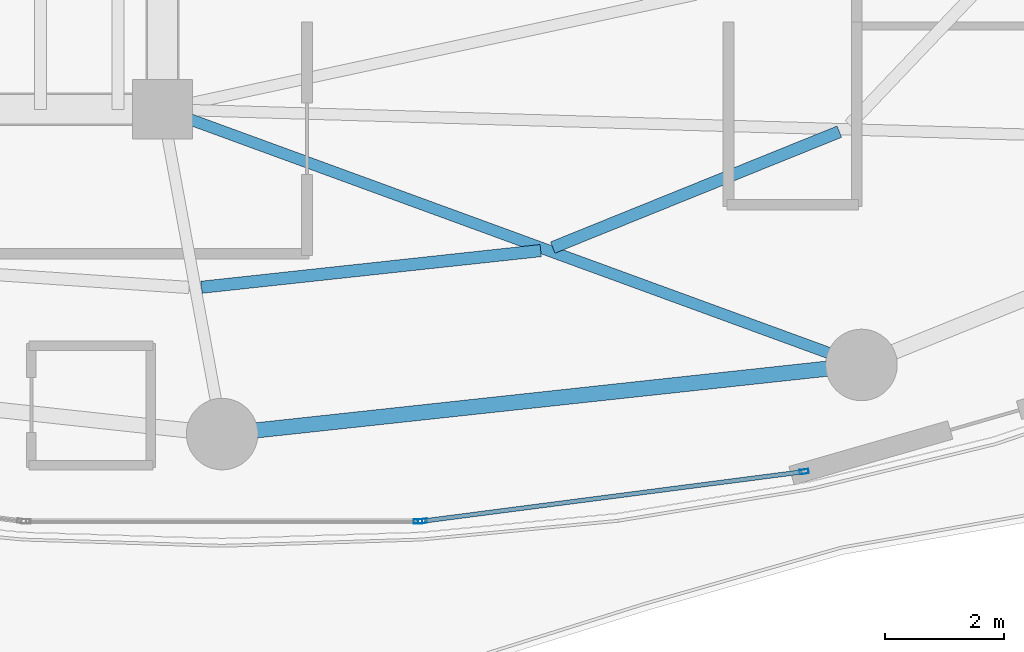
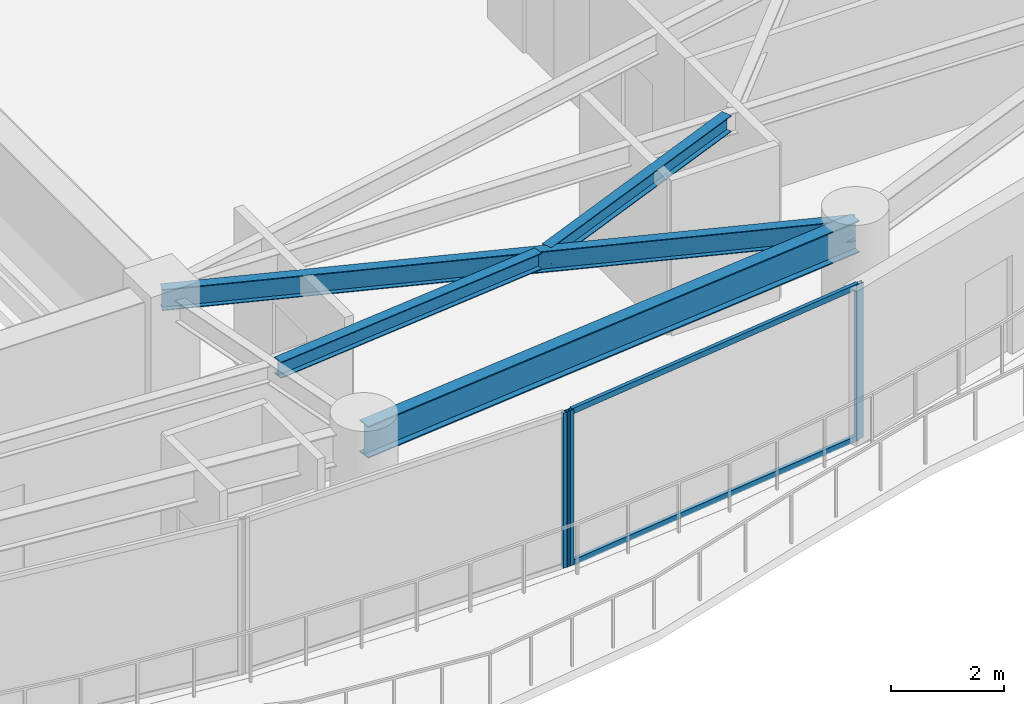
# One storey, part 9 of 30: 5 members, 4 beams, 2 elements without a shape of their own.
"""IFC4 building model written with IfcOpenShell, lengths in metres."""

import ifcopenshell
import ifcopenshell.guid

model = None  # the IFC model being written
_history = None  # IfcOwnerHistory: only IFC2X3 demands one
_inside = {}  # id of a spatial element -> (the spatial element, [elements in it])
_under = {}  # id of a project, library or spatial element -> (it, [spatial elements below it])
_declared = {}  # id of a project -> (the project, [libraries it declares])
_typed = {}  # id of a type object -> (the type object, [elements of that type])
_made_of = {}  # id of a material, layer set ... -> (it, [elements and type objects made of it])


def new_model(schema):
    """Start an empty IFC model of exactly this schema.

    Asked for "IFC4X3", IfcOpenShell would pick the latest addendum, in which some entities
    have other attributes; the version numbers below select the first issue.
    IFC2X3 requires an IfcOwnerHistory on every rooted entity: one is made here for all.
    """
    global model, _history
    if schema == "IFC4X3":
        model = ifcopenshell.file(schema_version=(4, 3, 0, 0))
    else:
        model = ifcopenshell.file(schema=schema)
    _inside.clear()
    _under.clear()
    _declared.clear()
    _typed.clear()
    _made_of.clear()
    _history = None
    if model.schema == "IFC2X3":
        org = make("IfcOrganization", Name="unknown")
        user = make(
            "IfcPersonAndOrganization",
            ThePerson=make("IfcPerson", FamilyName="unknown"),
            TheOrganization=org,
        )
        app = make(
            "IfcApplication",
            ApplicationDeveloper=org,
            Version="unknown",
            ApplicationFullName="unknown",
            ApplicationIdentifier="unknown",
        )
        _history = make(
            "IfcOwnerHistory",
            OwningUser=user,
            OwningApplication=app,
            ChangeAction="ADDED",
            CreationDate=0,
        )
    return model


def make(cls, **values):
    """One entity of the class cls with the attributes given. An attribute that is None is left unset."""
    return model.create_entity(
        cls, **{name: value for name, value in values.items() if value is not None}
    )


def rooted(cls, **values):
    """An entity with a GlobalId (a new one), such as an element, a storey or a relation."""
    return make(cls, GlobalId=ifcopenshell.guid.new(), OwnerHistory=_history, **values)


def si_unit(unit_type, name, prefix=None):
    """IfcSIUnit, for example si_unit("LENGTHUNIT", "METRE", prefix="MILLI")."""
    return make("IfcSIUnit", UnitType=unit_type, Prefix=prefix, Name=name)


def assignment(units):
    """IfcUnitAssignment: the units of a project."""
    return None if units is None else make("IfcUnitAssignment", Units=units)


def point(xyz):
    """IfcCartesianPoint."""
    return None if xyz is None else make("IfcCartesianPoint", Coordinates=xyz)


def direction(xyz):
    """IfcDirection."""
    return None if xyz is None else make("IfcDirection", DirectionRatios=xyz)


def frame(location, z_axis=None, x_axis=None):
    """IfcAxis2Placement3D, a coordinate frame: its origin and axes. An axis left out is left unset."""
    return make(
        "IfcAxis2Placement3D",
        Location=point(location),
        Axis=direction(z_axis),
        RefDirection=direction(x_axis),
    )


def frame_2d(location, x_axis=None):
    """IfcAxis2Placement2D, a coordinate frame in the plane: its origin and x axis."""
    return make(
        "IfcAxis2Placement2D", Location=point(location), RefDirection=direction(x_axis)
    )


def origin():
    """The frame at (0, 0, 0) with its axes left unset."""
    return frame((0.0, 0.0, 0.0))


def origin_2d():
    """The frame at (0, 0) in the plane with its x axis left unset."""
    return frame_2d((0.0, 0.0))


def place(relative_to, where):
    """IfcLocalPlacement: puts the frame where relative to a parent placement (None: the world)."""
    return make(
        "IfcLocalPlacement", PlacementRelTo=relative_to, RelativePlacement=where
    )


def context(
    kind, dimensions, precision=None, world=None, true_north=None, identifier=None
):
    """IfcGeometricRepresentationContext, for example the 3D "Model" context."""
    return make(
        "IfcGeometricRepresentationContext",
        ContextIdentifier=identifier,
        ContextType=kind,
        CoordinateSpaceDimension=dimensions,
        Precision=precision,
        WorldCoordinateSystem=world,
        TrueNorth=true_north,
    )


def subcontext(parent, identifier, kind, view, scale=None):
    """IfcGeometricRepresentationSubContext, for example "Body" below "Model"."""
    return make(
        "IfcGeometricRepresentationSubContext",
        ContextIdentifier=identifier,
        ContextType=kind,
        ParentContext=parent,
        TargetScale=scale,
        TargetView=view,
    )


def project(units=None, contexts=None):
    """IfcProject with its units and contexts."""
    return rooted(
        "IfcProject",
        Name="project",
        RepresentationContexts=contexts,
        UnitsInContext=assignment(units),
    )


def spatial(cls, under=None, at=None, **own):
    """A site, building, storey or space (cls), placed at a placement, below another one or the project."""
    s = rooted(cls, ObjectPlacement=at, **own)
    if under is not None:
        _under.setdefault(under.id(), (under, []))[1].append(s)
    return s


def profile(cls, at=None, kind="AREA", **sizes):
    """A parametric profile (cls). Its sizes go by their IFC names, for example OverallWidth=200.0."""
    return make(cls, ProfileType=kind, Position=at, **sizes)


def hollow_rectangle(**sizes):
    """IfcRectangleHollowProfileDef."""
    return profile("IfcRectangleHollowProfileDef", **sizes)


def i_section(**sizes):
    """IfcIShapeProfileDef."""
    return profile("IfcIShapeProfileDef", **sizes)


def extrude(swept, where, along, depth):
    """IfcExtrudedAreaSolid: the profile swept, set in the frame where, extruded along a direction by depth."""
    return make(
        "IfcExtrudedAreaSolid",
        SweptArea=swept,
        Position=where,
        ExtrudedDirection=direction(along),
        Depth=depth,
    )


def shape(context_of_items, identifier, shape_type, items):
    """IfcShapeRepresentation: the items that make up one representation, for example the "Body"."""
    return make(
        "IfcShapeRepresentation",
        ContextOfItems=context_of_items,
        RepresentationIdentifier=identifier,
        RepresentationType=shape_type,
        Items=items,
    )


def material(Name=None, Category=None):
    """IfcMaterial."""
    return make("IfcMaterial", Name=Name, Category=Category)


def layer(
    of_material, thickness, ventilated=None, Name=None, Category=None, Priority=None
):
    """IfcMaterialLayer: one layer of a wall or slab, of a material (None: an air gap)."""
    return make(
        "IfcMaterialLayer",
        Material=of_material,
        LayerThickness=thickness,
        IsVentilated=ventilated,
        Name=Name,
        Category=Category,
        Priority=Priority,
    )


def layer_set(layers, Name=None):
    """IfcMaterialLayerSet."""
    return make("IfcMaterialLayerSet", MaterialLayers=layers, LayerSetName=Name)


def material_profile(
    of_material, cross_section, Name=None, Category=None, Priority=None
):
    """IfcMaterialProfile: a cross section and its material."""
    return make(
        "IfcMaterialProfile",
        Name=Name,
        Material=of_material,
        Profile=cross_section,
        Priority=Priority,
        Category=Category,
    )


def profile_set(profiles, Name=None, composite=None):
    """IfcMaterialProfileSet."""
    return make(
        "IfcMaterialProfileSet",
        Name=Name,
        MaterialProfiles=profiles,
        CompositeProfile=composite,
    )


def made_of(thing, what):
    """Note that an element or type object is made of a material, layer set ...; save() writes the relation."""
    if what is not None:
        _made_of.setdefault(what.id(), (what, []))[1].append(thing)
    return thing


def type_object(cls, material=None, **own):
    """A type object (cls), such as IfcWallType, which elements share."""
    return made_of(rooted(cls, **own), material)


def element(
    cls,
    number,
    at=None,
    inside=None,
    cuts=None,
    type_object=None,
    material=None,
    context=None,
    identifier="Body",
    shape_type=None,
    held_by="IfcProductDefinitionShape",
    body=None,
    shapes=None,
    **own,
):
    """One element of the class cls, such as IfcWall. Its Tag is "e" and its number.

    at: its placement. inside: the storey or other place that contains it. cuts: it is an
    opening in that element (IfcRelVoidsElement). A single representation is given by context,
    identifier, shape_type and body (its items); several are given by shapes. held_by: the class
    of the entity that holds the representations. save() writes the other relations.
    """
    e = rooted(cls, Tag="e%d" % number, ObjectPlacement=at, **own)
    if body is not None:
        shapes = [shape(context, identifier, shape_type, body)]
    if shapes is not None:
        e.Representation = make(held_by, Representations=shapes)
    if inside is not None:
        _inside.setdefault(inside.id(), (inside, []))[1].append(e)
    if cuts is not None:
        rooted(
            "IfcRelVoidsElement", RelatingBuildingElement=cuts, RelatedOpeningElement=e
        )
    if type_object is not None:
        _typed.setdefault(type_object.id(), (type_object, []))[1].append(e)
    return made_of(e, material)


def aggregate(whole, parts):
    """IfcRelAggregates: a whole, such as a stair, and the parts it consists of."""
    return rooted("IfcRelAggregates", RelatingObject=whole, RelatedObjects=parts)


def save(model, path):
    """Write the relations noted so far, then the file.

    IfcRelAggregates (storeys below a building ...), IfcRelContainedInSpatialStructure (elements
    in a storey), IfcRelDefinesByType, IfcRelAssociatesMaterial and IfcRelDeclares: one each for
    every whole, place, type object, material and project.
    """
    for whole, parts in _under.values():
        aggregate(whole, parts)
    for where, things in _inside.values():
        rooted(
            "IfcRelContainedInSpatialStructure",
            RelatedElements=things,
            RelatingStructure=where,
        )
    for kind, things in _typed.values():
        rooted("IfcRelDefinesByType", RelatedObjects=things, RelatingType=kind)
    for what, things in _made_of.values():
        rooted("IfcRelAssociatesMaterial", RelatedObjects=things, RelatingMaterial=what)
    for by, libraries in _declared.values():
        rooted("IfcRelDeclares", RelatingContext=by, RelatedDefinitions=libraries)
    model.write(path)


model = new_model("IFC4")

# Units and contexts
model_context = context("Model", 3, precision=1e-05, world=origin(), true_north=direction((0.0, 1.0)))
body_context = subcontext(model_context, "Body", "Model", "MODEL_VIEW")
ifc_project = project(units=[si_unit("LENGTHUNIT", "METRE"), si_unit("AREAUNIT", "SQUARE_METRE"), si_unit("VOLUMEUNIT", "CUBIC_METRE"), si_unit("PLANEANGLEUNIT", "RADIAN"), si_unit("MASSUNIT", "GRAM", prefix="KILO")], contexts=[model_context])

# Site, building, storey
site_placement = place(None, origin())
site = spatial("IfcSite", under=ifc_project, at=site_placement, CompositionType="ELEMENT")
building_placement = place(site_placement, origin())
building = spatial("IfcBuilding", under=site, at=building_placement, Name="Kazevale Care Tower and Concert Hall", CompositionType="ELEMENT")
storey_placement = place(building_placement, frame((0.0, 0.0, 113.39990234375)))
storey = spatial("IfcBuildingStorey", under=building, at=storey_placement, Name="L29", CompositionType="ELEMENT", Elevation=113.39990234375)

# Curtain wall, members
ifc_material_1 = material(Name="Aluminium 6063-T6 and Low-E Glass", Category="aluminium")
ifc_layer = layer(ifc_material_1, 0.179931640625)
ifc_layer_set = layer_set([ifc_layer], Name="Aluminium 6063-T6 and Low-E Glass")
curtain_wall_type = type_object("IfcCurtainWallType", Name="Sheltered Concave Balcony Curtain Wall CW-5", PredefinedType="NOTDEFINED", material=ifc_layer_set)
curtain_wall_1_placement = place(storey_placement, origin())
curtain_wall_1 = element("IfcCurtainWall", 1, at=curtain_wall_1_placement, inside=storey, type_object=curtain_wall_type, Name="cw:L29:f05", PredefinedType="NOTDEFINED")
ifc_material_2 = material(Name="Aluminium 6063-T6", Category="aluminium")
ifc_material_profile_1 = material_profile(ifc_material_2, hollow_rectangle(XDim=0.074951171875, YDim=0.14990234375, WallThickness=0.00390625, at=origin_2d()), Name="ALU75x150x4")
ifc_profile_set_1 = profile_set([ifc_material_profile_1], Name="Aluminium 6063-T6")
member_type_1 = type_object("IfcMemberType", Name="CW-5 Mullion ALU75x150x4", PredefinedType="MULLION", material=ifc_profile_set_1)
member_1_placement = place(storey_placement, frame((54.768798828125, 17.520263671875, 0.0), z_axis=(0.0, 0.0, 1.0), x_axis=(0.12868500567, -0.991685519364, 0.0)))
member_1 = element("IfcMember", 2, at=member_1_placement, type_object=member_type_1, Name="CW-5 mullion 1", PredefinedType="MULLION", context=body_context, shape_type="SweptSolid", body=[
    extrude(hollow_rectangle(XDim=0.074951171875, YDim=0.14990234375, WallThickness=0.00390625, at=origin_2d()), origin(), (0.0, 0.0, 1.0), 3.360107421875),
])
member_2_placement = place(storey_placement, frame((48.3623046875, 16.688720703125, 0.0), z_axis=(0.0, 0.0, 1.0), x_axis=(0.12868500567, -0.991685519364, 0.0)))
member_2 = element("IfcMember", 3, at=member_2_placement, type_object=member_type_1, Name="CW-5 mullion 2", PredefinedType="MULLION", context=body_context, shape_type="SweptSolid", body=[
    extrude(hollow_rectangle(XDim=0.074951171875, YDim=0.14990234375, WallThickness=0.00390625, at=origin_2d()), origin(), (0.0, 0.0, 1.0), 3.360107421875),
])

# Curtain wall, member
curtain_wall_2_placement = place(storey_placement, origin())
curtain_wall_2 = element("IfcCurtainWall", 4, at=curtain_wall_2_placement, inside=storey, type_object=curtain_wall_type, Name="cw:L29:f06", PredefinedType="NOTDEFINED")
member_3_placement = place(storey_placement, frame((48.28759765625, 16.68408203125, 0.0), z_axis=(0.0, 0.0, 1.0), x_axis=(0.0, -1.0, 0.0)))
member_3 = element("IfcMember", 5, at=member_3_placement, type_object=member_type_1, Name="CW-5 mullion 1", PredefinedType="MULLION", context=body_context, shape_type="SweptSolid", body=[
    extrude(hollow_rectangle(XDim=0.074951171875, YDim=0.14990234375, WallThickness=0.00390625, at=origin_2d()), origin(), (0.0, 0.0, 1.0), 3.360107421875),
])
aggregate(curtain_wall_2, [member_3])

# Member
ifc_material_profile_2 = material_profile(ifc_material_2, hollow_rectangle(XDim=0.074951171875, YDim=0.1201171875, WallThickness=0.00390625, at=origin_2d()), Name="ALU75x120x4")
ifc_profile_set_2 = profile_set([ifc_material_profile_2], Name="Aluminium 6063-T6")
member_type_2 = type_object("IfcMemberType", Name="CW-5 Transom ALU75x120x4", PredefinedType="USERDEFINED", material=ifc_profile_set_2)
member_4_placement = place(storey_placement, frame((54.731689453125, 17.515380859375, 0.03759765625), z_axis=(-0.991683991743, -0.12869677743, 0.0), x_axis=(0.12869677743, -0.991683991743, 0.0)))
member_4 = element("IfcMember", 6, at=member_4_placement, type_object=member_type_2, Name="CW-5 transom 1.1", ObjectType="TRANSOM", PredefinedType="USERDEFINED", context=body_context, shape_type="SweptSolid", body=[
    extrude(hollow_rectangle(XDim=0.074951171875, YDim=0.1201171875, WallThickness=0.00390625, at=origin_2d()), origin(), (0.0, 0.0, 1.0), 6.385498046875),
])

member_5_placement = place(storey_placement, frame((54.731689453125, 17.515380859375, 3.322509765625), z_axis=(-0.991683991743, -0.12869677743, 0.0), x_axis=(0.12869677743, -0.991683991743, 0.0)))
member_5 = element("IfcMember", 7, at=member_5_placement, type_object=member_type_2, Name="CW-5 transom 1.2", ObjectType="TRANSOM", PredefinedType="USERDEFINED", context=body_context, shape_type="SweptSolid", body=[
    extrude(hollow_rectangle(XDim=0.074951171875, YDim=0.1201171875, WallThickness=0.00390625, at=origin_2d()), origin(), (0.0, 0.0, 1.0), 6.385498046875),
])

aggregate(curtain_wall_1, [member_1, member_2, member_4, member_5])

# Beams
ifc_material_3 = material(Name="Steel ASTM A572 Gr 50", Category="steel")
ifc_material_profile_3 = material_profile(ifc_material_3, i_section(OverallWidth=0.19091796875, OverallDepth=0.4599609375, WebThickness=0.010009765625, FlangeThickness=0.01611328125, at=origin_2d()), Name="W460x82")
ifc_profile_set_3 = profile_set([ifc_material_profile_3], Name="Steel ASTM A572 Gr 50")
beam_type_1 = type_object("IfcBeamType", Name="Radial Floor Beam W460x82", PredefinedType="BEAM", material=ifc_profile_set_3)
beam_1_placement = place(storey_placement, frame((44.0, 23.60009765625, 3.130126953125), z_axis=(0.939159459123, -0.343481455599, 0.0), x_axis=(0.343481455599, 0.939159459123, 0.0)))
element("IfcBeam", 8, at=beam_1_placement, inside=storey, type_object=beam_type_1, Name="beam:L29:rad:14", PredefinedType="BEAM", context=body_context, shape_type="SweptSolid", body=[
    extrude(i_section(OverallWidth=0.19091796875, OverallDepth=0.4599609375, WebThickness=0.010009765625, FlangeThickness=0.01611328125, at=origin_2d()), origin(), (0.0, 0.0, 1.0), 12.489990234375),
])
ifc_material_profile_4 = material_profile(ifc_material_3, i_section(OverallWidth=0.205078125, OverallDepth=0.35400390625, WebThickness=0.009521484375, FlangeThickness=0.016845703125, at=origin_2d()), Name="W360x79")
ifc_profile_set_4 = profile_set([ifc_material_profile_4], Name="Steel ASTM A572 Gr 50")
beam_type_2 = type_object("IfcBeamType", Name="Secondary Floor Joist W360x79", PredefinedType="JOIST", material=ifc_profile_set_4)
beam_2_placement = place(storey_placement, frame((44.654052734375, 20.614013671875, 3.18310546875), z_axis=(0.994215541126, 0.107403248482, 0.0), x_axis=(-0.107403248482, 0.994215541126, 0.0)))
element("IfcBeam", 9, at=beam_2_placement, inside=storey, type_object=beam_type_2, Name="beam:L29:joist:13", PredefinedType="JOIST", context=body_context, shape_type="SweptSolid", body=[
    extrude(i_section(OverallWidth=0.205078125, OverallDepth=0.35400390625, WebThickness=0.009521484375, FlangeThickness=0.016845703125, at=origin_2d()), origin(), (0.0, 0.0, 1.0), 5.72607421875),
])
beam_3_placement = place(storey_placement, frame((50.549072265625, 21.280029296875, 3.18310546875), z_axis=(0.927064833216, 0.374901046964, 0.0), x_axis=(-0.374901046964, 0.927064833216, 0.0)))
element("IfcBeam", 10, at=beam_3_placement, inside=storey, type_object=beam_type_2, Name="beam:L29:joist:14", PredefinedType="JOIST", context=body_context, shape_type="SweptSolid", body=[
    extrude(i_section(OverallWidth=0.205078125, OverallDepth=0.35400390625, WebThickness=0.009521484375, FlangeThickness=0.016845703125, at=origin_2d()), origin(), (0.0, 0.0, 1.0), 5.188232421875),
])
ifc_material_profile_5 = material_profile(ifc_material_3, i_section(OverallWidth=0.256103515625, OverallDepth=0.693115234375, WebThickness=0.014404296875, FlangeThickness=0.023681640625, at=origin_2d()), Name="W690x170")
ifc_profile_set_5 = profile_set([ifc_material_profile_5], Name="Steel ASTM A572 Gr 50")
beam_type_3 = type_object("IfcBeamType", Name="Waist Ring Beam W690x170", PredefinedType="BEAM", material=ifc_profile_set_5)
beam_4_placement = place(storey_placement, frame((45.0, 18.14990234375, 3.013671875), z_axis=(0.994205479487, 0.107496346724, 0.0), x_axis=(-0.107496346724, 0.994205479487, 0.0)))
element("IfcBeam", 11, at=beam_4_placement, inside=storey, type_object=beam_type_3, Name="beam:L29:ring:13", PredefinedType="BEAM", context=body_context, shape_type="SweptSolid", body=[
    extrude(i_section(OverallWidth=0.256103515625, OverallDepth=0.693115234375, WebThickness=0.014404296875, FlangeThickness=0.023681640625, at=origin_2d()), origin(), (0.0, 0.0, 1.0), 10.79248046875),
])

save(model, "model.ifc")
